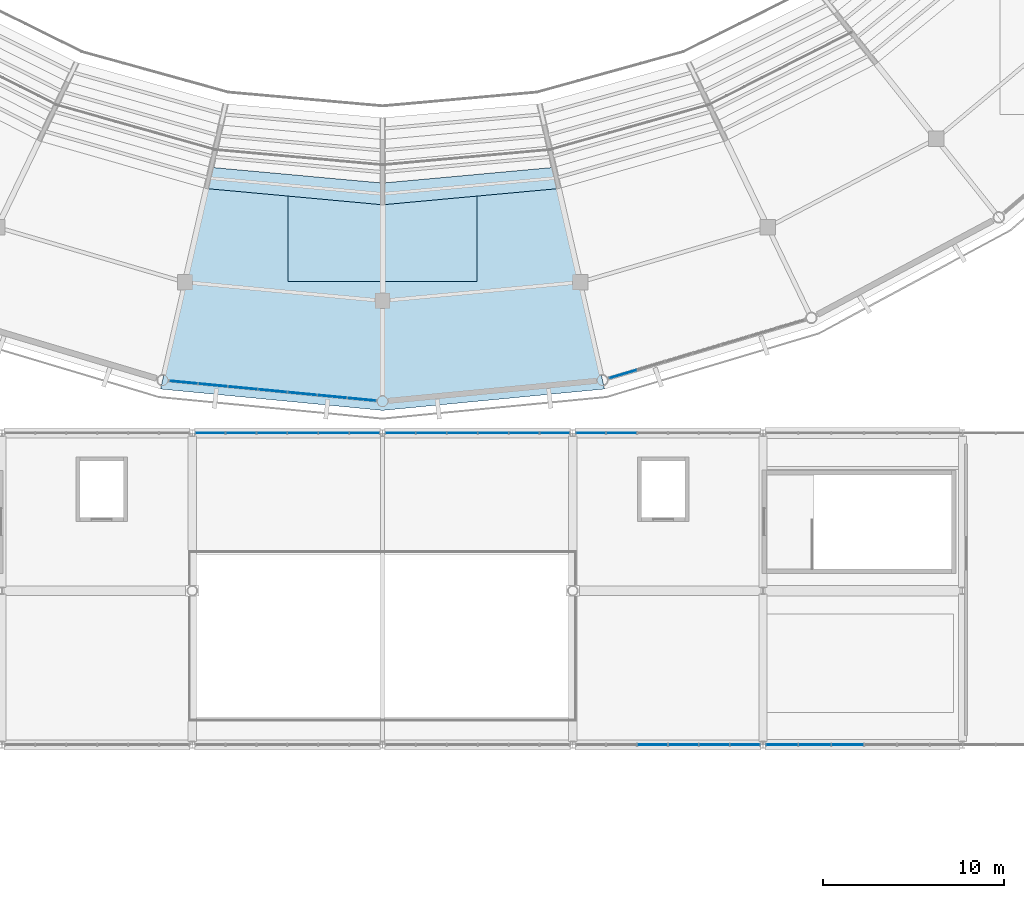
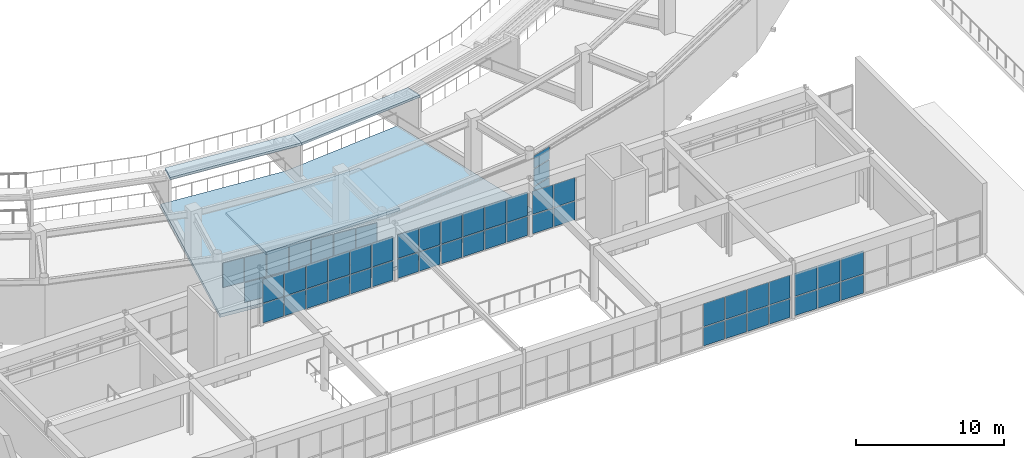
# One storey, part 80 of 122: 58 plates, 4 slabs, 7 elements without a shape of their own.
"""IFC4 building model written with IfcOpenShell, lengths in metres."""

from ifc_helpers import new_model, si_unit, direction, frame, origin, origin_2d, place, context, subcontext, project, spatial, polyline, rectangle, outline, extrude, material, layer, layer_set, type_object, element, aggregate, save


model = new_model("IFC4")

# Units and contexts
model_context = context("Model", 3, precision=1e-05, world=origin(), true_north=direction((0.0, 1.0)))
body_context = subcontext(model_context, "Body", "Model", "MODEL_VIEW")
ifc_project = project(units=[si_unit("LENGTHUNIT", "METRE"), si_unit("AREAUNIT", "SQUARE_METRE"), si_unit("VOLUMEUNIT", "CUBIC_METRE"), si_unit("PLANEANGLEUNIT", "RADIAN"), si_unit("MASSUNIT", "GRAM", prefix="KILO")], contexts=[model_context])

# Site, building, storey
site_placement = place(None, origin())
site = spatial("IfcSite", under=ifc_project, at=site_placement, CompositionType="ELEMENT")
building_placement = place(site_placement, origin())
building = spatial("IfcBuilding", under=site, at=building_placement, Name="Cuetzalor Civic Arena", CompositionType="ELEMENT")
storey_placement = place(building_placement, frame((0.0, 0.0, 16.199951171875)))
storey = spatial("IfcBuildingStorey", under=building, at=storey_placement, Name="L03", CompositionType="ELEMENT", Elevation=16.199951171875)

# Curtain wall, plates
ifc_material_1 = material(Name="Anodised dark bronze aluminium and low-E solar glass", Category="aluminium")
curtain_wall_type_1 = type_object("IfcCurtainWallType", Name="UnitisedCW_11550x3850", PredefinedType="USERDEFINED", material=ifc_material_1)
curtain_wall_1_placement = place(storey_placement, origin())
curtain_wall_1 = element("IfcCurtainWall", 1, at=curtain_wall_1_placement, inside=storey, type_object=curtain_wall_type_1, Name="Drum Triangle Foyer Curtain Wall L03-053", ObjectType="UNITISED CURTAIN WALL", PredefinedType="USERDEFINED")
ifc_material_2 = material(Name="Acoustic laminated solar control glass", Category="glass")
ifc_layer_1 = layer(ifc_material_2, 0.0439453125)
ifc_layer_set_1 = layer_set([ifc_layer_1], Name="Acoustic laminated solar control glass")
plate_type_1 = type_object("IfcPlateType", Name="AcousticTripleGlazedPanel_44", PredefinedType="CURTAIN_PANEL", material=ifc_layer_set_1)
plate_1_placement = place(storey_placement, frame((-1.15185546875, -46.439208984375, 0.065185546875), z_axis=(0.0, 0.0, 1.0), x_axis=(-0.995409139996, 0.095711253324, 0.0)))
plate_1 = element("IfcPlate", 2, at=plate_1_placement, type_object=plate_type_1, Name="CW-14 panel 1.1", PredefinedType="CURTAIN_PANEL", context=body_context, shape_type="SweptSolid", body=[
    extrude(rectangle(XDim=1.5546875, YDim=0.0439453125, at=origin_2d()), origin(), (0.0, 0.0, 1.0), 1.62646484375),
])
plate_2_placement = place(storey_placement, frame((-1.15185546875, -46.439208984375, 1.75634765625), z_axis=(0.0, 0.0, 1.0), x_axis=(-0.995409139996, 0.095711253324, 0.0)))
plate_2 = element("IfcPlate", 3, at=plate_2_placement, type_object=plate_type_1, Name="CW-14 panel 1.2", PredefinedType="CURTAIN_PANEL", context=body_context, shape_type="SweptSolid", body=[
    extrude(rectangle(XDim=1.5546875, YDim=0.0439453125, at=origin_2d()), origin(), (0.0, 0.0, 1.0), 2.010498046875),
])
plate_3_placement = place(storey_placement, frame((-2.780029296875, -46.28271484375, 0.065185546875), z_axis=(0.0, 0.0, 1.0), x_axis=(-0.995409139996, 0.095711253324, 0.0)))
plate_3 = element("IfcPlate", 4, at=plate_3_placement, type_object=plate_type_1, Name="CW-14 panel 2.1", PredefinedType="CURTAIN_PANEL", context=body_context, shape_type="SweptSolid", body=[
    extrude(rectangle(XDim=1.587158203125, YDim=0.0439453125, at=origin_2d()), origin(), (0.0, 0.0, 1.0), 1.62646484375),
])
plate_4_placement = place(storey_placement, frame((-2.780029296875, -46.28271484375, 1.75634765625), z_axis=(0.0, 0.0, 1.0), x_axis=(-0.995409139996, 0.095711253324, 0.0)))
plate_4 = element("IfcPlate", 5, at=plate_4_placement, type_object=plate_type_1, Name="CW-14 panel 2.2", PredefinedType="CURTAIN_PANEL", context=body_context, shape_type="SweptSolid", body=[
    extrude(rectangle(XDim=1.587158203125, YDim=0.0439453125, at=origin_2d()), origin(), (0.0, 0.0, 1.0), 2.010498046875),
])
plate_5_placement = place(storey_placement, frame((-4.4248046875, -46.12451171875, 0.065185546875), z_axis=(0.0, 0.0, 1.0), x_axis=(-0.995409139996, 0.095711253324, 0.0)))
plate_5 = element("IfcPlate", 6, at=plate_5_placement, type_object=plate_type_1, Name="CW-14 panel 3.1", PredefinedType="CURTAIN_PANEL", context=body_context, shape_type="SweptSolid", body=[
    extrude(rectangle(XDim=1.587158203125, YDim=0.0439453125, at=origin_2d()), origin(), (0.0, 0.0, 1.0), 1.62646484375),
])
plate_6_placement = place(storey_placement, frame((-4.4248046875, -46.12451171875, 1.75634765625), z_axis=(0.0, 0.0, 1.0), x_axis=(-0.995409139996, 0.095711253324, 0.0)))
plate_6 = element("IfcPlate", 7, at=plate_6_placement, type_object=plate_type_1, Name="CW-14 panel 3.2", PredefinedType="CURTAIN_PANEL", context=body_context, shape_type="SweptSolid", body=[
    extrude(rectangle(XDim=1.587158203125, YDim=0.0439453125, at=origin_2d()), origin(), (0.0, 0.0, 1.0), 2.010498046875),
])
plate_7_placement = place(storey_placement, frame((-6.0693359375, -45.966552734375, 0.065185546875), z_axis=(0.0, 0.0, 1.0), x_axis=(-0.995409139996, 0.095711253324, 0.0)))
plate_7 = element("IfcPlate", 8, at=plate_7_placement, type_object=plate_type_1, Name="CW-14 panel 4.1", PredefinedType="CURTAIN_PANEL", context=body_context, shape_type="SweptSolid", body=[
    extrude(rectangle(XDim=1.587158203125, YDim=0.0439453125, at=origin_2d()), origin(), (0.0, 0.0, 1.0), 1.62646484375),
])
plate_8_placement = place(storey_placement, frame((-6.0693359375, -45.966552734375, 1.75634765625), z_axis=(0.0, 0.0, 1.0), x_axis=(-0.995409139996, 0.095711253324, 0.0)))
plate_8 = element("IfcPlate", 9, at=plate_8_placement, type_object=plate_type_1, Name="CW-14 panel 4.2", PredefinedType="CURTAIN_PANEL", context=body_context, shape_type="SweptSolid", body=[
    extrude(rectangle(XDim=1.587158203125, YDim=0.0439453125, at=origin_2d()), origin(), (0.0, 0.0, 1.0), 2.010498046875),
])
plate_9_placement = place(storey_placement, frame((-7.7138671875, -45.808349609375, 0.065185546875), z_axis=(0.0, 0.0, 1.0), x_axis=(-0.995409139996, 0.095711253324, 0.0)))
plate_9 = element("IfcPlate", 10, at=plate_9_placement, type_object=plate_type_1, Name="CW-14 panel 5.1", PredefinedType="CURTAIN_PANEL", context=body_context, shape_type="SweptSolid", body=[
    extrude(rectangle(XDim=1.587158203125, YDim=0.0439453125, at=origin_2d()), origin(), (0.0, 0.0, 1.0), 1.62646484375),
])
plate_10_placement = place(storey_placement, frame((-7.7138671875, -45.808349609375, 1.75634765625), z_axis=(0.0, 0.0, 1.0), x_axis=(-0.995409139996, 0.095711253324, 0.0)))
plate_10 = element("IfcPlate", 11, at=plate_10_placement, type_object=plate_type_1, Name="CW-14 panel 5.2", PredefinedType="CURTAIN_PANEL", context=body_context, shape_type="SweptSolid", body=[
    extrude(rectangle(XDim=1.587158203125, YDim=0.0439453125, at=origin_2d()), origin(), (0.0, 0.0, 1.0), 2.010498046875),
])
plate_11_placement = place(storey_placement, frame((-9.3583984375, -45.650146484375, 0.065185546875), z_axis=(0.0, 0.0, 1.0), x_axis=(-0.995409139996, 0.095711253324, 0.0)))
plate_11 = element("IfcPlate", 12, at=plate_11_placement, type_object=plate_type_1, Name="CW-14 panel 6.1", PredefinedType="CURTAIN_PANEL", context=body_context, shape_type="SweptSolid", body=[
    extrude(rectangle(XDim=1.587158203125, YDim=0.0439453125, at=origin_2d()), origin(), (0.0, 0.0, 1.0), 1.62646484375),
])
plate_12_placement = place(storey_placement, frame((-9.3583984375, -45.650146484375, 1.75634765625), z_axis=(0.0, 0.0, 1.0), x_axis=(-0.995409139996, 0.095711253324, 0.0)))
plate_12 = element("IfcPlate", 13, at=plate_12_placement, type_object=plate_type_1, Name="CW-14 panel 6.2", PredefinedType="CURTAIN_PANEL", context=body_context, shape_type="SweptSolid", body=[
    extrude(rectangle(XDim=1.587158203125, YDim=0.0439453125, at=origin_2d()), origin(), (0.0, 0.0, 1.0), 2.010498046875),
])
plate_13_placement = place(storey_placement, frame((-10.98681640625, -45.49365234375, 1.75634765625), z_axis=(0.0, 0.0, 1.0), x_axis=(-0.995409139996, 0.095711253324, 0.0)))
plate_13 = element("IfcPlate", 14, at=plate_13_placement, type_object=plate_type_1, Name="CW-14 panel 7.2", PredefinedType="CURTAIN_PANEL", context=body_context, shape_type="SweptSolid", body=[
    extrude(rectangle(XDim=1.5546875, YDim=0.0439453125, at=origin_2d()), origin(), (0.0, 0.0, 1.0), 2.010498046875),
])
aggregate(curtain_wall_1, [plate_1, plate_2, plate_3, plate_4, plate_5, plate_6, plate_7, plate_8, plate_9, plate_10, plate_11, plate_12, plate_13])

ifc_material_3 = material(Name="Anodised dark bronze aluminium and low-E solar glass", Category="aluminium")
curtain_wall_type_2 = type_object("IfcCurtainWallType", Name="UnitisedCW_11300x4050", PredefinedType="USERDEFINED", material=ifc_material_3)
curtain_wall_2_placement = place(storey_placement, origin())
curtain_wall_2 = element("IfcCurtainWall", 15, at=curtain_wall_2_placement, inside=storey, type_object=curtain_wall_type_2, Name="Drum Triangle Foyer Curtain Wall L03-054", ObjectType="UNITISED CURTAIN WALL", PredefinedType="USERDEFINED")
plate_14_placement = place(storey_placement, frame((13.274658203125, -45.043701171875, 0.06494140625), z_axis=(0.0, 0.0, 1.0), x_axis=(-0.958193690548, -0.286120344251, 0.0)))
plate_14 = element("IfcPlate", 16, at=plate_14_placement, type_object=plate_type_1, Name="CW-15 panel 7.1", PredefinedType="CURTAIN_PANEL", context=body_context, shape_type="SweptSolid", body=[
    extrude(rectangle(XDim=1.518310546875, YDim=0.0439453125, at=origin_2d()), origin(), (0.0, 0.0, 1.0), 1.361572265625),
])
plate_15_placement = place(storey_placement, frame((13.274658203125, -45.043701171875, 1.491455078125), z_axis=(0.0, 0.0, 1.0), x_axis=(-0.958193690548, -0.286120344251, 0.0)))
plate_15 = element("IfcPlate", 17, at=plate_15_placement, type_object=plate_type_1, Name="CW-15 panel 7.2", PredefinedType="CURTAIN_PANEL", context=body_context, shape_type="SweptSolid", body=[
    extrude(rectangle(XDim=1.518310546875, YDim=0.0439453125, at=origin_2d()), origin(), (0.0, 0.0, 1.0), 1.39404296875),
])
plate_16_placement = place(storey_placement, frame((13.274658203125, -45.043701171875, 2.950439453125), z_axis=(0.0, 0.0, 1.0), x_axis=(-0.958193690548, -0.286120344251, 0.0)))
plate_16 = element("IfcPlate", 18, at=plate_16_placement, type_object=plate_type_1, Name="CW-15 panel 7.3", PredefinedType="CURTAIN_PANEL", context=body_context, shape_type="SweptSolid", body=[
    extrude(rectangle(XDim=1.518310546875, YDim=0.0439453125, at=origin_2d()), origin(), (0.0, 0.0, 1.0), 1.03759765625),
])
aggregate(curtain_wall_2, [plate_14, plate_15, plate_16])

# Slab
ifc_material_4 = material(Name="Concrete C40/50", Category="concrete")
ifc_layer_2 = layer(ifc_material_4, 0.219970703125)
ifc_layer_set_2 = layer_set([ifc_layer_2], Name="Concrete C40/50")
slab_type_1 = type_object("IfcSlabType", Name="LiftShaftRoofCapSlab_220", PredefinedType="ROOF", material=ifc_layer_set_2)
slab_1_placement = place(storey_placement, frame((0.0, 0.0, -1.199951171875)))
element("IfcSlab", 19, at=slab_1_placement, inside=storey, type_object=slab_type_1, Name="Stair Core Enclosure Cap Slab ST-07", PredefinedType="ROOF", context=body_context, shape_type="SweptSolid", body=[
    extrude(outline(polyline([(-5.219970703125, -39.919921875), (5.219970703125, -39.919921875), (5.219970703125, -34.47998046875), (-5.219970703125, -34.47998046875), (-5.219970703125, -39.919921875)])), origin(), (0.0, 0.0, 1.0), 0.219970703125),
])

# Curtain wall, plates
ifc_material_5 = material(Name="Anodised dark bronze aluminium and low-E solar glass", Category="aluminium")
curtain_wall_type_3 = type_object("IfcCurtainWallType", Name="StickCW_10250x3700", PredefinedType="USERDEFINED", material=ifc_material_5)
curtain_wall_3_placement = place(storey_placement, origin())
curtain_wall_3 = element("IfcCurtainWall", 20, at=curtain_wall_3_placement, inside=storey, type_object=curtain_wall_type_3, Name="Foyer North Clerestory Curtain Wall L03-096", ObjectType="STICK CURTAIN WALL", PredefinedType="USERDEFINED")
ifc_material_6 = material(Name="Low-E laminated solar control glass", Category="glass")
ifc_layer_3 = layer(ifc_material_6, 0.031982421875)
ifc_layer_set_3 = layer_set([ifc_layer_3], Name="Low-E laminated solar control glass")
plate_type_2 = type_object("IfcPlateType", Name="SolarControlGlazedPanel_32", PredefinedType="CURTAIN_PANEL", material=ifc_layer_set_3)
plate_17_placement = place(storey_placement, frame((-9.5048828125, -48.300048828125, 0.06494140625), z_axis=(0.0, 0.0, 1.0), x_axis=(1.0, 0.0, 0.0)))
plate_17 = element("IfcPlate", 21, at=plate_17_placement, type_object=plate_type_2, Name="CW-30 panel 1.1", PredefinedType="CURTAIN_PANEL", context=body_context, shape_type="SweptSolid", body=[
    extrude(rectangle(XDim=1.611083984375, YDim=0.031982421875, at=origin_2d()), origin(), (0.0, 0.0, 1.0), 1.576416015625),
])
plate_18_placement = place(storey_placement, frame((-9.5048828125, -48.300048828125, 1.70654296875), z_axis=(0.0, 0.0, 1.0), x_axis=(1.0, 0.0, 0.0)))
plate_18 = element("IfcPlate", 22, at=plate_18_placement, type_object=plate_type_2, Name="CW-30 panel 1.2", PredefinedType="CURTAIN_PANEL", context=body_context, shape_type="SweptSolid", body=[
    extrude(rectangle(XDim=1.611083984375, YDim=0.031982421875, at=origin_2d()), origin(), (0.0, 0.0, 1.0), 1.948486328125),
])
plate_19_placement = place(storey_placement, frame((-7.812744140625, -48.300048828125, 0.06494140625), z_axis=(0.0, 0.0, 1.0), x_axis=(1.0, 0.0, 0.0)))
plate_19 = element("IfcPlate", 23, at=plate_19_placement, type_object=plate_type_2, Name="CW-30 panel 2.1", PredefinedType="CURTAIN_PANEL", context=body_context, shape_type="SweptSolid", body=[
    extrude(rectangle(XDim=1.6435546875, YDim=0.031982421875, at=origin_2d()), origin(), (0.0, 0.0, 1.0), 1.576416015625),
])
plate_20_placement = place(storey_placement, frame((-7.812744140625, -48.300048828125, 1.70654296875), z_axis=(0.0, 0.0, 1.0), x_axis=(1.0, 0.0, 0.0)))
plate_20 = element("IfcPlate", 24, at=plate_20_placement, type_object=plate_type_2, Name="CW-30 panel 2.2", PredefinedType="CURTAIN_PANEL", context=body_context, shape_type="SweptSolid", body=[
    extrude(rectangle(XDim=1.6435546875, YDim=0.031982421875, at=origin_2d()), origin(), (0.0, 0.0, 1.0), 1.948486328125),
])
plate_21_placement = place(storey_placement, frame((-6.104248046875, -48.300048828125, 0.06494140625), z_axis=(0.0, 0.0, 1.0), x_axis=(1.0, 0.0, 0.0)))
plate_21 = element("IfcPlate", 25, at=plate_21_placement, type_object=plate_type_2, Name="CW-30 panel 3.1", PredefinedType="CURTAIN_PANEL", context=body_context, shape_type="SweptSolid", body=[
    extrude(rectangle(XDim=1.6435546875, YDim=0.031982421875, at=origin_2d()), origin(), (0.0, 0.0, 1.0), 1.576416015625),
])
plate_22_placement = place(storey_placement, frame((-6.104248046875, -48.300048828125, 1.70654296875), z_axis=(0.0, 0.0, 1.0), x_axis=(1.0, 0.0, 0.0)))
plate_22 = element("IfcPlate", 26, at=plate_22_placement, type_object=plate_type_2, Name="CW-30 panel 3.2", PredefinedType="CURTAIN_PANEL", context=body_context, shape_type="SweptSolid", body=[
    extrude(rectangle(XDim=1.6435546875, YDim=0.031982421875, at=origin_2d()), origin(), (0.0, 0.0, 1.0), 1.948486328125),
])
plate_23_placement = place(storey_placement, frame((-4.395751953125, -48.300048828125, 0.06494140625), z_axis=(0.0, 0.0, 1.0), x_axis=(1.0, 0.0, 0.0)))
plate_23 = element("IfcPlate", 27, at=plate_23_placement, type_object=plate_type_2, Name="CW-30 panel 4.1", PredefinedType="CURTAIN_PANEL", context=body_context, shape_type="SweptSolid", body=[
    extrude(rectangle(XDim=1.6435546875, YDim=0.031982421875, at=origin_2d()), origin(), (0.0, 0.0, 1.0), 1.576416015625),
])
plate_24_placement = place(storey_placement, frame((-4.395751953125, -48.300048828125, 1.70654296875), z_axis=(0.0, 0.0, 1.0), x_axis=(1.0, 0.0, 0.0)))
plate_24 = element("IfcPlate", 28, at=plate_24_placement, type_object=plate_type_2, Name="CW-30 panel 4.2", PredefinedType="CURTAIN_PANEL", context=body_context, shape_type="SweptSolid", body=[
    extrude(rectangle(XDim=1.6435546875, YDim=0.031982421875, at=origin_2d()), origin(), (0.0, 0.0, 1.0), 1.948486328125),
])
plate_25_placement = place(storey_placement, frame((-2.687255859375, -48.300048828125, 0.06494140625), z_axis=(0.0, 0.0, 1.0), x_axis=(1.0, 0.0, 0.0)))
plate_25 = element("IfcPlate", 29, at=plate_25_placement, type_object=plate_type_2, Name="CW-30 panel 5.1", PredefinedType="CURTAIN_PANEL", context=body_context, shape_type="SweptSolid", body=[
    extrude(rectangle(XDim=1.6435546875, YDim=0.031982421875, at=origin_2d()), origin(), (0.0, 0.0, 1.0), 1.576416015625),
])
plate_26_placement = place(storey_placement, frame((-2.687255859375, -48.300048828125, 1.70654296875), z_axis=(0.0, 0.0, 1.0), x_axis=(1.0, 0.0, 0.0)))
plate_26 = element("IfcPlate", 30, at=plate_26_placement, type_object=plate_type_2, Name="CW-30 panel 5.2", PredefinedType="CURTAIN_PANEL", context=body_context, shape_type="SweptSolid", body=[
    extrude(rectangle(XDim=1.6435546875, YDim=0.031982421875, at=origin_2d()), origin(), (0.0, 0.0, 1.0), 1.948486328125),
])
plate_27_placement = place(storey_placement, frame((-0.9951171875, -48.300048828125, 0.06494140625), z_axis=(0.0, 0.0, 1.0), x_axis=(1.0, 0.0, 0.0)))
plate_27 = element("IfcPlate", 31, at=plate_27_placement, type_object=plate_type_2, Name="CW-30 panel 6.1", PredefinedType="CURTAIN_PANEL", context=body_context, shape_type="SweptSolid", body=[
    extrude(rectangle(XDim=1.611083984375, YDim=0.031982421875, at=origin_2d()), origin(), (0.0, 0.0, 1.0), 1.576416015625),
])
plate_28_placement = place(storey_placement, frame((-0.9951171875, -48.300048828125, 1.70654296875), z_axis=(0.0, 0.0, 1.0), x_axis=(1.0, 0.0, 0.0)))
plate_28 = element("IfcPlate", 32, at=plate_28_placement, type_object=plate_type_2, Name="CW-30 panel 6.2", PredefinedType="CURTAIN_PANEL", context=body_context, shape_type="SweptSolid", body=[
    extrude(rectangle(XDim=1.611083984375, YDim=0.031982421875, at=origin_2d()), origin(), (0.0, 0.0, 1.0), 1.948486328125),
])
aggregate(curtain_wall_3, [plate_17, plate_18, plate_19, plate_20, plate_21, plate_22, plate_23, plate_24, plate_25, plate_26, plate_27, plate_28])

curtain_wall_4_placement = place(storey_placement, origin())
curtain_wall_4 = element("IfcCurtainWall", 33, at=curtain_wall_4_placement, inside=storey, type_object=curtain_wall_type_3, Name="Foyer North Clerestory Curtain Wall L03-098", ObjectType="STICK CURTAIN WALL", PredefinedType="USERDEFINED")
plate_29_placement = place(storey_placement, frame((0.9951171875, -48.300048828125, 0.06494140625), z_axis=(0.0, 0.0, 1.0), x_axis=(1.0, 0.0, 0.0)))
plate_29 = element("IfcPlate", 34, at=plate_29_placement, type_object=plate_type_2, Name="CW-30 panel 1.1", PredefinedType="CURTAIN_PANEL", context=body_context, shape_type="SweptSolid", body=[
    extrude(rectangle(XDim=1.611083984375, YDim=0.031982421875, at=origin_2d()), origin(), (0.0, 0.0, 1.0), 1.576416015625),
])
plate_30_placement = place(storey_placement, frame((0.9951171875, -48.300048828125, 1.70654296875), z_axis=(0.0, 0.0, 1.0), x_axis=(1.0, 0.0, 0.0)))
plate_30 = element("IfcPlate", 35, at=plate_30_placement, type_object=plate_type_2, Name="CW-30 panel 1.2", PredefinedType="CURTAIN_PANEL", context=body_context, shape_type="SweptSolid", body=[
    extrude(rectangle(XDim=1.611083984375, YDim=0.031982421875, at=origin_2d()), origin(), (0.0, 0.0, 1.0), 1.948486328125),
])
plate_31_placement = place(storey_placement, frame((2.687255859375, -48.300048828125, 0.06494140625), z_axis=(0.0, 0.0, 1.0), x_axis=(1.0, 0.0, 0.0)))
plate_31 = element("IfcPlate", 36, at=plate_31_placement, type_object=plate_type_2, Name="CW-30 panel 2.1", PredefinedType="CURTAIN_PANEL", context=body_context, shape_type="SweptSolid", body=[
    extrude(rectangle(XDim=1.6435546875, YDim=0.031982421875, at=origin_2d()), origin(), (0.0, 0.0, 1.0), 1.576416015625),
])
plate_32_placement = place(storey_placement, frame((2.687255859375, -48.300048828125, 1.70654296875), z_axis=(0.0, 0.0, 1.0), x_axis=(1.0, 0.0, 0.0)))
plate_32 = element("IfcPlate", 37, at=plate_32_placement, type_object=plate_type_2, Name="CW-30 panel 2.2", PredefinedType="CURTAIN_PANEL", context=body_context, shape_type="SweptSolid", body=[
    extrude(rectangle(XDim=1.6435546875, YDim=0.031982421875, at=origin_2d()), origin(), (0.0, 0.0, 1.0), 1.948486328125),
])
plate_33_placement = place(storey_placement, frame((4.395751953125, -48.300048828125, 0.06494140625), z_axis=(0.0, 0.0, 1.0), x_axis=(1.0, 0.0, 0.0)))
plate_33 = element("IfcPlate", 38, at=plate_33_placement, type_object=plate_type_2, Name="CW-30 panel 3.1", PredefinedType="CURTAIN_PANEL", context=body_context, shape_type="SweptSolid", body=[
    extrude(rectangle(XDim=1.6435546875, YDim=0.031982421875, at=origin_2d()), origin(), (0.0, 0.0, 1.0), 1.576416015625),
])
plate_34_placement = place(storey_placement, frame((4.395751953125, -48.300048828125, 1.70654296875), z_axis=(0.0, 0.0, 1.0), x_axis=(1.0, 0.0, 0.0)))
plate_34 = element("IfcPlate", 39, at=plate_34_placement, type_object=plate_type_2, Name="CW-30 panel 3.2", PredefinedType="CURTAIN_PANEL", context=body_context, shape_type="SweptSolid", body=[
    extrude(rectangle(XDim=1.6435546875, YDim=0.031982421875, at=origin_2d()), origin(), (0.0, 0.0, 1.0), 1.948486328125),
])
plate_35_placement = place(storey_placement, frame((6.104248046875, -48.300048828125, 0.06494140625), z_axis=(0.0, 0.0, 1.0), x_axis=(1.0, 0.0, 0.0)))
plate_35 = element("IfcPlate", 40, at=plate_35_placement, type_object=plate_type_2, Name="CW-30 panel 4.1", PredefinedType="CURTAIN_PANEL", context=body_context, shape_type="SweptSolid", body=[
    extrude(rectangle(XDim=1.6435546875, YDim=0.031982421875, at=origin_2d()), origin(), (0.0, 0.0, 1.0), 1.576416015625),
])
plate_36_placement = place(storey_placement, frame((6.104248046875, -48.300048828125, 1.70654296875), z_axis=(0.0, 0.0, 1.0), x_axis=(1.0, 0.0, 0.0)))
plate_36 = element("IfcPlate", 41, at=plate_36_placement, type_object=plate_type_2, Name="CW-30 panel 4.2", PredefinedType="CURTAIN_PANEL", context=body_context, shape_type="SweptSolid", body=[
    extrude(rectangle(XDim=1.6435546875, YDim=0.031982421875, at=origin_2d()), origin(), (0.0, 0.0, 1.0), 1.948486328125),
])
plate_37_placement = place(storey_placement, frame((7.812744140625, -48.300048828125, 0.06494140625), z_axis=(0.0, 0.0, 1.0), x_axis=(1.0, 0.0, 0.0)))
plate_37 = element("IfcPlate", 42, at=plate_37_placement, type_object=plate_type_2, Name="CW-30 panel 5.1", PredefinedType="CURTAIN_PANEL", context=body_context, shape_type="SweptSolid", body=[
    extrude(rectangle(XDim=1.6435546875, YDim=0.031982421875, at=origin_2d()), origin(), (0.0, 0.0, 1.0), 1.576416015625),
])
plate_38_placement = place(storey_placement, frame((7.812744140625, -48.300048828125, 1.70654296875), z_axis=(0.0, 0.0, 1.0), x_axis=(1.0, 0.0, 0.0)))
plate_38 = element("IfcPlate", 43, at=plate_38_placement, type_object=plate_type_2, Name="CW-30 panel 5.2", PredefinedType="CURTAIN_PANEL", context=body_context, shape_type="SweptSolid", body=[
    extrude(rectangle(XDim=1.6435546875, YDim=0.031982421875, at=origin_2d()), origin(), (0.0, 0.0, 1.0), 1.948486328125),
])
plate_39_placement = place(storey_placement, frame((9.5048828125, -48.300048828125, 0.06494140625), z_axis=(0.0, 0.0, 1.0), x_axis=(1.0, 0.0, 0.0)))
plate_39 = element("IfcPlate", 44, at=plate_39_placement, type_object=plate_type_2, Name="CW-30 panel 6.1", PredefinedType="CURTAIN_PANEL", context=body_context, shape_type="SweptSolid", body=[
    extrude(rectangle(XDim=1.611083984375, YDim=0.031982421875, at=origin_2d()), origin(), (0.0, 0.0, 1.0), 1.576416015625),
])
plate_40_placement = place(storey_placement, frame((9.5048828125, -48.300048828125, 1.70654296875), z_axis=(0.0, 0.0, 1.0), x_axis=(1.0, 0.0, 0.0)))
plate_40 = element("IfcPlate", 45, at=plate_40_placement, type_object=plate_type_2, Name="CW-30 panel 6.2", PredefinedType="CURTAIN_PANEL", context=body_context, shape_type="SweptSolid", body=[
    extrude(rectangle(XDim=1.611083984375, YDim=0.031982421875, at=origin_2d()), origin(), (0.0, 0.0, 1.0), 1.948486328125),
])
aggregate(curtain_wall_4, [plate_29, plate_30, plate_31, plate_32, plate_33, plate_34, plate_35, plate_36, plate_37, plate_38, plate_39, plate_40])

ifc_material_7 = material(Name="Anodised dark bronze aluminium and low-E solar glass", Category="aluminium")
curtain_wall_type_4 = type_object("IfcCurtainWallType", Name="StickCW_10250x3600", PredefinedType="USERDEFINED", material=ifc_material_7)
curtain_wall_5_placement = place(storey_placement, origin())
curtain_wall_5 = element("IfcCurtainWall", 46, at=curtain_wall_5_placement, inside=storey, type_object=curtain_wall_type_4, Name="Foyer Vault Clerestory Curtain Wall L03-099", ObjectType="STICK CURTAIN WALL", PredefinedType="USERDEFINED")
plate_41_placement = place(storey_placement, frame((20.0048828125, -65.5, 0.06494140625), z_axis=(0.0, 0.0, 1.0), x_axis=(-1.0, 0.0, 0.0)))
plate_41 = element("IfcPlate", 47, at=plate_41_placement, type_object=plate_type_2, Name="CW-29 panel 1.1", PredefinedType="CURTAIN_PANEL", context=body_context, shape_type="SweptSolid", body=[
    extrude(rectangle(XDim=1.611083984375, YDim=0.031982421875, at=origin_2d()), origin(), (0.0, 0.0, 1.0), 1.531494140625),
])
plate_42_placement = place(storey_placement, frame((20.0048828125, -65.5, 1.66162109375), z_axis=(0.0, 0.0, 1.0), x_axis=(-1.0, 0.0, 0.0)))
plate_42 = element("IfcPlate", 48, at=plate_42_placement, type_object=plate_type_2, Name="CW-29 panel 1.2", PredefinedType="CURTAIN_PANEL", context=body_context, shape_type="SweptSolid", body=[
    extrude(rectangle(XDim=1.611083984375, YDim=0.031982421875, at=origin_2d()), origin(), (0.0, 0.0, 1.0), 1.8935546875),
])
plate_43_placement = place(storey_placement, frame((18.312744140625, -65.5, 0.06494140625), z_axis=(0.0, 0.0, 1.0), x_axis=(-1.0, 0.0, 0.0)))
plate_43 = element("IfcPlate", 49, at=plate_43_placement, type_object=plate_type_2, Name="CW-29 panel 2.1", PredefinedType="CURTAIN_PANEL", context=body_context, shape_type="SweptSolid", body=[
    extrude(rectangle(XDim=1.6435546875, YDim=0.031982421875, at=origin_2d()), origin(), (0.0, 0.0, 1.0), 1.531494140625),
])
plate_44_placement = place(storey_placement, frame((18.312744140625, -65.5, 1.66162109375), z_axis=(0.0, 0.0, 1.0), x_axis=(-1.0, 0.0, 0.0)))
plate_44 = element("IfcPlate", 50, at=plate_44_placement, type_object=plate_type_2, Name="CW-29 panel 2.2", PredefinedType="CURTAIN_PANEL", context=body_context, shape_type="SweptSolid", body=[
    extrude(rectangle(XDim=1.6435546875, YDim=0.031982421875, at=origin_2d()), origin(), (0.0, 0.0, 1.0), 1.8935546875),
])
plate_45_placement = place(storey_placement, frame((16.604248046875, -65.5, 0.06494140625), z_axis=(0.0, 0.0, 1.0), x_axis=(-1.0, 0.0, 0.0)))
plate_45 = element("IfcPlate", 51, at=plate_45_placement, type_object=plate_type_2, Name="CW-29 panel 3.1", PredefinedType="CURTAIN_PANEL", context=body_context, shape_type="SweptSolid", body=[
    extrude(rectangle(XDim=1.6435546875, YDim=0.031982421875, at=origin_2d()), origin(), (0.0, 0.0, 1.0), 1.531494140625),
])
plate_46_placement = place(storey_placement, frame((16.604248046875, -65.5, 1.66162109375), z_axis=(0.0, 0.0, 1.0), x_axis=(-1.0, 0.0, 0.0)))
plate_46 = element("IfcPlate", 52, at=plate_46_placement, type_object=plate_type_2, Name="CW-29 panel 3.2", PredefinedType="CURTAIN_PANEL", context=body_context, shape_type="SweptSolid", body=[
    extrude(rectangle(XDim=1.6435546875, YDim=0.031982421875, at=origin_2d()), origin(), (0.0, 0.0, 1.0), 1.8935546875),
])
plate_47_placement = place(storey_placement, frame((14.895751953125, -65.5, 0.06494140625), z_axis=(0.0, 0.0, 1.0), x_axis=(-1.0, 0.0, 0.0)))
plate_47 = element("IfcPlate", 53, at=plate_47_placement, type_object=plate_type_2, Name="CW-29 panel 4.1", PredefinedType="CURTAIN_PANEL", context=body_context, shape_type="SweptSolid", body=[
    extrude(rectangle(XDim=1.6435546875, YDim=0.031982421875, at=origin_2d()), origin(), (0.0, 0.0, 1.0), 1.531494140625),
])
plate_48_placement = place(storey_placement, frame((14.895751953125, -65.5, 1.66162109375), z_axis=(0.0, 0.0, 1.0), x_axis=(-1.0, 0.0, 0.0)))
plate_48 = element("IfcPlate", 54, at=plate_48_placement, type_object=plate_type_2, Name="CW-29 panel 4.2", PredefinedType="CURTAIN_PANEL", context=body_context, shape_type="SweptSolid", body=[
    extrude(rectangle(XDim=1.6435546875, YDim=0.031982421875, at=origin_2d()), origin(), (0.0, 0.0, 1.0), 1.8935546875),
])
aggregate(curtain_wall_5, [plate_41, plate_42, plate_43, plate_44, plate_45, plate_46, plate_47, plate_48])

curtain_wall_6_placement = place(storey_placement, origin())
curtain_wall_6 = element("IfcCurtainWall", 55, at=curtain_wall_6_placement, inside=storey, type_object=curtain_wall_type_4, Name="Foyer North Clerestory Curtain Wall L03-100", ObjectType="STICK CURTAIN WALL", PredefinedType="USERDEFINED")
plate_49_placement = place(storey_placement, frame((11.4951171875, -48.300048828125, 0.06494140625), z_axis=(0.0, 0.0, 1.0), x_axis=(1.0, 0.0, 0.0)))
plate_49 = element("IfcPlate", 56, at=plate_49_placement, type_object=plate_type_2, Name="CW-29 panel 1.1", PredefinedType="CURTAIN_PANEL", context=body_context, shape_type="SweptSolid", body=[
    extrude(rectangle(XDim=1.611083984375, YDim=0.031982421875, at=origin_2d()), origin(), (0.0, 0.0, 1.0), 1.531494140625),
])
plate_50_placement = place(storey_placement, frame((11.4951171875, -48.300048828125, 1.66162109375), z_axis=(0.0, 0.0, 1.0), x_axis=(1.0, 0.0, 0.0)))
plate_50 = element("IfcPlate", 57, at=plate_50_placement, type_object=plate_type_2, Name="CW-29 panel 1.2", PredefinedType="CURTAIN_PANEL", context=body_context, shape_type="SweptSolid", body=[
    extrude(rectangle(XDim=1.611083984375, YDim=0.031982421875, at=origin_2d()), origin(), (0.0, 0.0, 1.0), 1.8935546875),
])
plate_51_placement = place(storey_placement, frame((13.187255859375, -48.300048828125, 0.06494140625), z_axis=(0.0, 0.0, 1.0), x_axis=(1.0, 0.0, 0.0)))
plate_51 = element("IfcPlate", 58, at=plate_51_placement, type_object=plate_type_2, Name="CW-29 panel 2.1", PredefinedType="CURTAIN_PANEL", context=body_context, shape_type="SweptSolid", body=[
    extrude(rectangle(XDim=1.6435546875, YDim=0.031982421875, at=origin_2d()), origin(), (0.0, 0.0, 1.0), 1.531494140625),
])
plate_52_placement = place(storey_placement, frame((13.187255859375, -48.300048828125, 1.66162109375), z_axis=(0.0, 0.0, 1.0), x_axis=(1.0, 0.0, 0.0)))
plate_52 = element("IfcPlate", 59, at=plate_52_placement, type_object=plate_type_2, Name="CW-29 panel 2.2", PredefinedType="CURTAIN_PANEL", context=body_context, shape_type="SweptSolid", body=[
    extrude(rectangle(XDim=1.6435546875, YDim=0.031982421875, at=origin_2d()), origin(), (0.0, 0.0, 1.0), 1.8935546875),
])
aggregate(curtain_wall_6, [plate_49, plate_50, plate_51, plate_52])

ifc_material_8 = material(Name="Anodised dark bronze aluminium and low-E solar glass", Category="aluminium")
curtain_wall_type_5 = type_object("IfcCurtainWallType", Name="StickCW_14550x3600", PredefinedType="USERDEFINED", material=ifc_material_8)
curtain_wall_7_placement = place(storey_placement, origin())
curtain_wall_7 = element("IfcCurtainWall", 60, at=curtain_wall_7_placement, inside=storey, type_object=curtain_wall_type_5, Name="Foyer Vault Clerestory Curtain Wall L03-101", ObjectType="STICK CURTAIN WALL", PredefinedType="USERDEFINED")
plate_53_placement = place(storey_placement, frame((25.663818359375, -65.5, 0.06494140625), z_axis=(0.0, 0.0, 1.0), x_axis=(-1.0, 0.0, 0.0)))
plate_53 = element("IfcPlate", 61, at=plate_53_placement, type_object=plate_type_2, Name="CW-28 panel 6.1", PredefinedType="CURTAIN_PANEL", context=body_context, shape_type="SweptSolid", body=[
    extrude(rectangle(XDim=1.750732421875, YDim=0.031982421875, at=origin_2d()), origin(), (0.0, 0.0, 1.0), 1.531494140625),
])
plate_54_placement = place(storey_placement, frame((25.663818359375, -65.5, 1.66162109375), z_axis=(0.0, 0.0, 1.0), x_axis=(-1.0, 0.0, 0.0)))
plate_54 = element("IfcPlate", 62, at=plate_54_placement, type_object=plate_type_2, Name="CW-28 panel 6.2", PredefinedType="CURTAIN_PANEL", context=body_context, shape_type="SweptSolid", body=[
    extrude(rectangle(XDim=1.750732421875, YDim=0.031982421875, at=origin_2d()), origin(), (0.0, 0.0, 1.0), 1.8935546875),
])
plate_55_placement = place(storey_placement, frame((23.84814453125, -65.5, 0.06494140625), z_axis=(0.0, 0.0, 1.0), x_axis=(-1.0, 0.0, 0.0)))
plate_55 = element("IfcPlate", 63, at=plate_55_placement, type_object=plate_type_2, Name="CW-28 panel 7.1", PredefinedType="CURTAIN_PANEL", context=body_context, shape_type="SweptSolid", body=[
    extrude(rectangle(XDim=1.750732421875, YDim=0.031982421875, at=origin_2d()), origin(), (0.0, 0.0, 1.0), 1.531494140625),
])
plate_56_placement = place(storey_placement, frame((23.84814453125, -65.5, 1.66162109375), z_axis=(0.0, 0.0, 1.0), x_axis=(-1.0, 0.0, 0.0)))
plate_56 = element("IfcPlate", 64, at=plate_56_placement, type_object=plate_type_2, Name="CW-28 panel 7.2", PredefinedType="CURTAIN_PANEL", context=body_context, shape_type="SweptSolid", body=[
    extrude(rectangle(XDim=1.750732421875, YDim=0.031982421875, at=origin_2d()), origin(), (0.0, 0.0, 1.0), 1.8935546875),
])
plate_57_placement = place(storey_placement, frame((22.048583984375, -65.5, 0.06494140625), z_axis=(0.0, 0.0, 1.0), x_axis=(-1.0, 0.0, 0.0)))
plate_57 = element("IfcPlate", 65, at=plate_57_placement, type_object=plate_type_2, Name="CW-28 panel 8.1", PredefinedType="CURTAIN_PANEL", context=body_context, shape_type="SweptSolid", body=[
    extrude(rectangle(XDim=1.71826171875, YDim=0.031982421875, at=origin_2d()), origin(), (0.0, 0.0, 1.0), 1.531494140625),
])
plate_58_placement = place(storey_placement, frame((22.048583984375, -65.5, 1.66162109375), z_axis=(0.0, 0.0, 1.0), x_axis=(-1.0, 0.0, 0.0)))
plate_58 = element("IfcPlate", 66, at=plate_58_placement, type_object=plate_type_2, Name="CW-28 panel 8.2", PredefinedType="CURTAIN_PANEL", context=body_context, shape_type="SweptSolid", body=[
    extrude(rectangle(XDim=1.71826171875, YDim=0.031982421875, at=origin_2d()), origin(), (0.0, 0.0, 1.0), 1.8935546875),
])
aggregate(curtain_wall_7, [plate_53, plate_54, plate_55, plate_56, plate_57, plate_58])

# Slabs
ifc_material_9 = material(Name="Concrete C35/45", Category="concrete")
ifc_layer_4 = layer(ifc_material_9, 0.280029296875)
ifc_layer_set_4 = layer_set([ifc_layer_4], Name="Concrete C35/45")
slab_type_2 = type_object("IfcSlabType", Name="SuspendedFloorSlab_280", PredefinedType="FLOOR", material=ifc_layer_set_4)
slab_2_placement = place(storey_placement, frame((0.0, 0.0, -0.280029296875)))
element("IfcSlab", 67, at=slab_2_placement, inside=storey, type_object=slab_type_2, Name="Arena Concourse Sector Slab L03-11", PredefinedType="FLOOR", context=body_context, shape_type="SweptSolid", body=[
    extrude(outline(polyline([(-9.234619140625, -32.66015625), (0.0, -33.5), (9.234619140625, -32.66015625), (12.249755859375, -45.870361328125), (0.0, -47.050048828125), (-12.249755859375, -45.870361328125), (-9.234619140625, -32.66015625)])), origin(), (0.0, 0.0, 1.0), 0.280029296875),
])
ifc_material_10 = material(Name="Precast concrete C45/55", Category="concrete")
ifc_layer_5 = layer(ifc_material_10, 0.195068359375)
ifc_layer_set_5 = layer_set([ifc_layer_5], Name="Precast concrete C45/55")
slab_type_3 = type_object("IfcSlabType", Name="UpperBowlSeatingTier_160", PredefinedType="USERDEFINED", material=ifc_layer_set_5)
slab_3_placement = place(storey_placement, frame((0.0, 0.0, 3.455078125)))
element("IfcSlab", 68, at=slab_3_placement, inside=storey, type_object=slab_type_3, Name="Stand Upper Tier Bay 21 Row 4", ObjectType="SEATING TIER", PredefinedType="USERDEFINED", context=body_context, shape_type="SweptSolid", body=[
    extrude(outline(polyline([(-9.45703125, -33.635009765625), (0.0, -34.5), (0.0, -35.699951171875), (-9.72412109375, -34.804931640625), (-9.45703125, -33.635009765625)])), origin(), (0.0, 0.0, 1.0), 0.195068359375),
])
slab_4_placement = place(storey_placement, frame((0.0, 0.0, 3.455078125)))
element("IfcSlab", 69, at=slab_4_placement, inside=storey, type_object=slab_type_3, Name="Stand Upper Tier Bay 22 Row 4", ObjectType="SEATING TIER", PredefinedType="USERDEFINED", context=body_context, shape_type="SweptSolid", body=[
    extrude(outline(polyline([(0.0, -34.5), (9.45703125, -33.635009765625), (9.72412109375, -34.804931640625), (0.0, -35.699951171875), (0.0, -34.5)])), origin(), (0.0, 0.0, 1.0), 0.195068359375),
])

save(model, "model.ifc")
